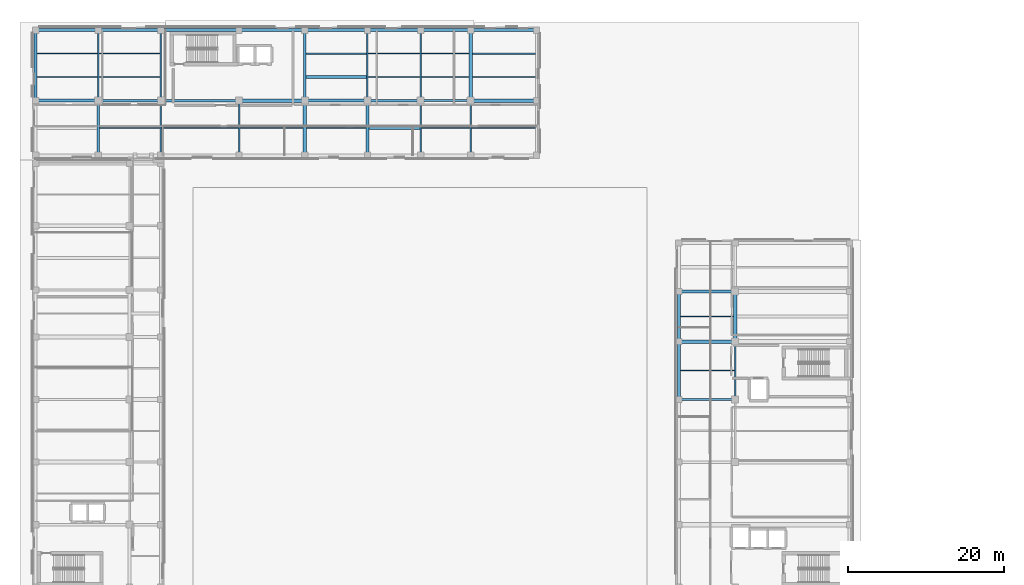
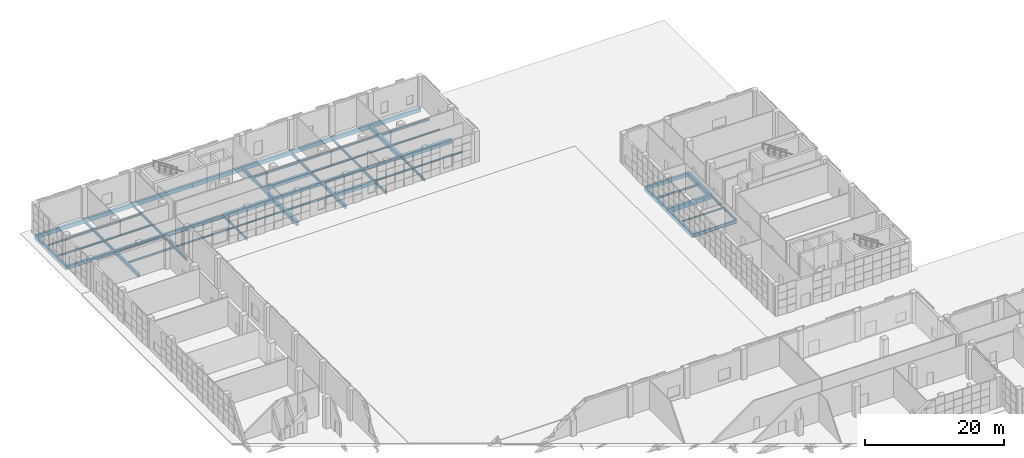
# One storey, part 5 of 40: 58 beams.
"""IFC4 building model written with IfcOpenShell, lengths in metres."""

from ifc_helpers import new_model, si_unit, direction, frame, origin, origin_2d, place, context, subcontext, project, spatial, rectangle, i_section, extrude, material, material_profile, profile_set, type_object, element, save


model = new_model("IFC4")

# Units and contexts
model_context = context("Model", 3, precision=1e-05, world=origin(), true_north=direction((0.0, 1.0)))
body_context = subcontext(model_context, "Body", "Model", "MODEL_VIEW")
ifc_project = project(units=[si_unit("LENGTHUNIT", "METRE"), si_unit("AREAUNIT", "SQUARE_METRE"), si_unit("VOLUMEUNIT", "CUBIC_METRE"), si_unit("PLANEANGLEUNIT", "RADIAN"), si_unit("MASSUNIT", "GRAM", prefix="KILO")], contexts=[model_context])

# Site, building, storey
site_placement = place(None, origin())
site = spatial("IfcSite", under=ifc_project, at=site_placement, CompositionType="ELEMENT")
building_placement = place(site_placement, origin())
building = spatial("IfcBuilding", under=site, at=building_placement, Name="Qalavern Law Courts", CompositionType="ELEMENT")
storey_placement = place(building_placement, origin())
storey = spatial("IfcBuildingStorey", under=building, at=storey_placement, Name="L00", CompositionType="ELEMENT", Elevation=0.0)

# Beams
ifc_material_1 = material(Name="Steel S355", Category="steel")
ifc_material_profile_1 = material_profile(ifc_material_1, i_section(OverallWidth=0.300048828125, OverallDepth=0.489990234375, WebThickness=0.011962890625, FlangeThickness=0.02294921875, FilletRadius=0.027099609375, at=origin_2d()), Name="HEA 500")
ifc_profile_set_1 = profile_set([ifc_material_profile_1], Name="Steel S355")
beam_type_1 = type_object("IfcBeamType", Name="STR-BM-HEA500", PredefinedType="BEAM", material=ifc_profile_set_1)
beam_1_placement = place(storey_placement, frame((10.39990234375, 103.60009765625, -0.5849609375), z_axis=(1.0, 0.0, 0.0), x_axis=(0.0, 1.0, 0.0)))
element("IfcBeam", 1, at=beam_1_placement, inside=storey, type_object=beam_type_1, Name="V5 X-beam 2-2 L00", PredefinedType="BEAM", context=body_context, shape_type="SweptSolid", body=[
    extrude(i_section(OverallWidth=0.300048828125, OverallDepth=0.489990234375, WebThickness=0.011962890625, FlangeThickness=0.02294921875, FilletRadius=0.027099609375, at=origin_2d()), origin(), (0.0, 0.0, 1.0), 8.0),
])
beam_2_placement = place(storey_placement, frame((44.800048828125, 103.60009765625, -0.5849609375), z_axis=(1.0, 0.0, 0.0), x_axis=(0.0, 1.0, 0.0)))
element("IfcBeam", 2, at=beam_2_placement, inside=storey, type_object=beam_type_1, Name="V5 X-beam 2-6 L00", PredefinedType="BEAM", context=body_context, shape_type="SweptSolid", body=[
    extrude(i_section(OverallWidth=0.300048828125, OverallDepth=0.489990234375, WebThickness=0.011962890625, FlangeThickness=0.02294921875, FilletRadius=0.027099609375, at=origin_2d()), origin(), (0.0, 0.0, 1.0), 6.800048828125),
])
ifc_material_profile_2 = material_profile(ifc_material_1, i_section(OverallWidth=0.300048828125, OverallDepth=0.699951171875, WebThickness=0.01708984375, FlangeThickness=0.031982421875, FilletRadius=0.027099609375, at=origin_2d()), Name="HEB 700")
ifc_profile_set_2 = profile_set([ifc_material_profile_2], Name="Steel S355")
beam_type_2 = type_object("IfcBeamType", Name="STR-BM-HEB700", PredefinedType="BEAM", material=ifc_profile_set_2)
beam_3_placement = place(storey_placement, frame((18.39990234375, 103.60009765625, -0.68994140625), z_axis=(1.0, 0.0, 0.0), x_axis=(0.0, 1.0, 0.0)))
element("IfcBeam", 3, at=beam_3_placement, inside=storey, type_object=beam_type_2, Name="V5 X-beam 2-3 L00", PredefinedType="BEAM", context=body_context, shape_type="SweptSolid", body=[
    extrude(i_section(OverallWidth=0.300048828125, OverallDepth=0.699951171875, WebThickness=0.01708984375, FlangeThickness=0.031982421875, FilletRadius=0.027099609375, at=origin_2d()), origin(), (0.0, 0.0, 1.0), 10.0),
])
ifc_material_profile_3 = material_profile(ifc_material_1, i_section(OverallWidth=0.179931640625, OverallDepth=0.39990234375, WebThickness=0.008544921875, FlangeThickness=0.013427734375, FilletRadius=0.02099609375, at=origin_2d()), Name="IPE 400")
ifc_profile_set_3 = profile_set([ifc_material_profile_3], Name="Steel S355")
beam_type_3 = type_object("IfcBeamType", Name="STR-BM-IPE400", PredefinedType="BEAM", material=ifc_profile_set_3)
beam_4_placement = place(storey_placement, frame((91.800048828125, 65.39990234375, -0.5400390625), z_axis=(0.0, 1.0, 0.0), x_axis=(-1.0, 0.0, 0.0)))
element("IfcBeam", 4, at=beam_4_placement, inside=storey, type_object=beam_type_3, Name="V4 Y-beam 2-3 L00", PredefinedType="BEAM", context=body_context, shape_type="SweptSolid", body=[
    extrude(i_section(OverallWidth=0.179931640625, OverallDepth=0.39990234375, WebThickness=0.008544921875, FlangeThickness=0.013427734375, FilletRadius=0.02099609375, at=origin_2d()), origin(), (0.0, 0.0, 1.0), 7.400146484375),
])
beam_5_placement = place(storey_placement, frame((18.39990234375, 103.60009765625, -0.5400390625), z_axis=(0.0, 1.0, 0.0), x_axis=(-1.0, 0.0, 0.0)))
element("IfcBeam", 5, at=beam_5_placement, inside=storey, type_object=beam_type_3, Name="V5 Y-beam 3-2 L00", PredefinedType="BEAM", context=body_context, shape_type="SweptSolid", body=[
    extrude(i_section(OverallWidth=0.179931640625, OverallDepth=0.39990234375, WebThickness=0.008544921875, FlangeThickness=0.013427734375, FilletRadius=0.02099609375, at=origin_2d()), origin(), (0.0, 0.0, 1.0), 9.0),
])
beam_6_placement = place(storey_placement, frame((28.39990234375, 96.60009765625, -0.5400390625), z_axis=(0.0, 1.0, 0.0), x_axis=(-1.0, 0.0, 0.0)))
element("IfcBeam", 6, at=beam_6_placement, inside=storey, type_object=beam_type_3, Name="V5 Y-beam 4-1 L00", PredefinedType="BEAM", context=body_context, shape_type="SweptSolid", body=[
    extrude(i_section(OverallWidth=0.179931640625, OverallDepth=0.39990234375, WebThickness=0.008544921875, FlangeThickness=0.013427734375, FilletRadius=0.02099609375, at=origin_2d()), origin(), (0.0, 0.0, 1.0), 7.0),
])
beam_7_placement = place(storey_placement, frame((51.60009765625, 103.60009765625, -0.5400390625), z_axis=(0.0, 1.0, 0.0), x_axis=(-1.0, 0.0, 0.0)))
element("IfcBeam", 7, at=beam_7_placement, inside=storey, type_object=beam_type_3, Name="V5 Y-beam 7-2 L00", PredefinedType="BEAM", context=body_context, shape_type="SweptSolid", body=[
    extrude(i_section(OverallWidth=0.179931640625, OverallDepth=0.39990234375, WebThickness=0.008544921875, FlangeThickness=0.013427734375, FilletRadius=0.02099609375, at=origin_2d()), origin(), (0.0, 0.0, 1.0), 9.0),
])
beam_8_placement = place(storey_placement, frame((58.0, 96.60009765625, -0.5400390625), z_axis=(0.0, 1.0, 0.0), x_axis=(-1.0, 0.0, 0.0)))
element("IfcBeam", 8, at=beam_8_placement, inside=storey, type_object=beam_type_3, Name="V5 Y-beam 8-1 L00", PredefinedType="BEAM", context=body_context, shape_type="SweptSolid", body=[
    extrude(i_section(OverallWidth=0.179931640625, OverallDepth=0.39990234375, WebThickness=0.008544921875, FlangeThickness=0.013427734375, FilletRadius=0.02099609375, at=origin_2d()), origin(), (0.0, 0.0, 1.0), 7.0),
])
ifc_material_profile_4 = material_profile(ifc_material_1, i_section(OverallWidth=0.199951171875, OverallDepth=0.5, WebThickness=0.01025390625, FlangeThickness=0.01611328125, FilletRadius=0.02099609375, at=origin_2d()), Name="IPE 500")
ifc_profile_set_4 = profile_set([ifc_material_profile_4], Name="Steel S355")
beam_type_4 = type_object("IfcBeamType", Name="STR-BM-IPE500", PredefinedType="BEAM", material=ifc_profile_set_4)
beam_9_placement = place(storey_placement, frame((10.39990234375, 103.60009765625, -0.590087890625), z_axis=(0.0, 1.0, 0.0), x_axis=(-1.0, 0.0, 0.0)))
element("IfcBeam", 9, at=beam_9_placement, inside=storey, type_object=beam_type_4, Name="V5 Y-beam 2-2 L00", PredefinedType="BEAM", context=body_context, shape_type="SweptSolid", body=[
    extrude(i_section(OverallWidth=0.199951171875, OverallDepth=0.5, WebThickness=0.01025390625, FlangeThickness=0.01611328125, FilletRadius=0.02099609375, at=origin_2d()), origin(), (0.0, 0.0, 1.0), 9.0),
])
beam_10_placement = place(storey_placement, frame((18.39990234375, 96.60009765625, -0.590087890625), z_axis=(0.0, 1.0, 0.0), x_axis=(-1.0, 0.0, 0.0)))
element("IfcBeam", 10, at=beam_10_placement, inside=storey, type_object=beam_type_4, Name="V5 Y-beam 3-1 L00", PredefinedType="BEAM", context=body_context, shape_type="SweptSolid", body=[
    extrude(i_section(OverallWidth=0.199951171875, OverallDepth=0.5, WebThickness=0.01025390625, FlangeThickness=0.01611328125, FilletRadius=0.02099609375, at=origin_2d()), origin(), (0.0, 0.0, 1.0), 7.0),
])
beam_11_placement = place(storey_placement, frame((44.800048828125, 103.60009765625, -0.590087890625), z_axis=(0.0, 1.0, 0.0), x_axis=(-1.0, 0.0, 0.0)))
element("IfcBeam", 11, at=beam_11_placement, inside=storey, type_object=beam_type_4, Name="V5 Y-beam 6-2 L00", PredefinedType="BEAM", context=body_context, shape_type="SweptSolid", body=[
    extrude(i_section(OverallWidth=0.199951171875, OverallDepth=0.5, WebThickness=0.01025390625, FlangeThickness=0.01611328125, FilletRadius=0.02099609375, at=origin_2d()), origin(), (0.0, 0.0, 1.0), 9.0),
])
beam_12_placement = place(storey_placement, frame((51.60009765625, 96.60009765625, -0.590087890625), z_axis=(0.0, 1.0, 0.0), x_axis=(-1.0, 0.0, 0.0)))
element("IfcBeam", 12, at=beam_12_placement, inside=storey, type_object=beam_type_4, Name="V5 Y-beam 7-1 L00", PredefinedType="BEAM", context=body_context, shape_type="SweptSolid", body=[
    extrude(i_section(OverallWidth=0.199951171875, OverallDepth=0.5, WebThickness=0.01025390625, FlangeThickness=0.01611328125, FilletRadius=0.02099609375, at=origin_2d()), origin(), (0.0, 0.0, 1.0), 7.0),
])
ifc_material_profile_5 = material_profile(ifc_material_1, i_section(OverallWidth=0.219970703125, OverallDepth=0.60009765625, WebThickness=0.011962890625, FlangeThickness=0.01904296875, FilletRadius=0.02392578125, at=origin_2d()), Name="IPE 600")
ifc_profile_set_5 = profile_set([ifc_material_profile_5], Name="Steel S355")
beam_type_5 = type_object("IfcBeamType", Name="STR-BM-IPE600", PredefinedType="BEAM", material=ifc_profile_set_5)
beam_13_placement = place(storey_placement, frame((84.60009765625, 65.39990234375, -0.639892578125), z_axis=(1.0, 0.0, 0.0), x_axis=(0.0, 1.0, 0.0)))
element("IfcBeam", 13, at=beam_13_placement, inside=storey, type_object=beam_type_5, Name="V4 X-beam 4-1 L00", PredefinedType="BEAM", context=body_context, shape_type="SweptSolid", body=[
    extrude(i_section(OverallWidth=0.219970703125, OverallDepth=0.60009765625, WebThickness=0.011962890625, FlangeThickness=0.01904296875, FilletRadius=0.02392578125, at=origin_2d()), origin(), (0.0, 0.0, 1.0), 7.199951171875),
])
beam_14_placement = place(storey_placement, frame((51.60009765625, 103.60009765625, -0.639892578125), z_axis=(1.0, 0.0, 0.0), x_axis=(0.0, 1.0, 0.0)))
element("IfcBeam", 14, at=beam_14_placement, inside=storey, type_object=beam_type_5, Name="V5 X-beam 2-7 L00", PredefinedType="BEAM", context=body_context, shape_type="SweptSolid", body=[
    extrude(i_section(OverallWidth=0.219970703125, OverallDepth=0.60009765625, WebThickness=0.011962890625, FlangeThickness=0.01904296875, FilletRadius=0.02392578125, at=origin_2d()), origin(), (0.0, 0.0, 1.0), 6.39990234375),
])
ifc_material_2 = material(Name="Concrete C35/45", Category="concrete")
ifc_material_profile_6 = material_profile(ifc_material_2, rectangle(XDim=0.35009765625, YDim=0.550048828125, at=origin_2d()), Name="RC 350x550")
ifc_profile_set_6 = profile_set([ifc_material_profile_6], Name="Concrete C35/45")
beam_type_6 = type_object("IfcBeamType", Name="STR-BM-RC350x550", PredefinedType="BEAM", material=ifc_profile_set_6)
beam_15_placement = place(storey_placement, frame((10.39990234375, 96.60009765625, -0.614990234375), z_axis=(0.0, 1.0, 0.0), x_axis=(-1.0, 0.0, 0.0)))
element("IfcBeam", 15, at=beam_15_placement, inside=storey, type_object=beam_type_6, Name="V5 Y-beam 2-1 L00", PredefinedType="BEAM", context=body_context, shape_type="SweptSolid", body=[
    extrude(rectangle(XDim=0.35009765625, YDim=0.550048828125, at=origin_2d()), origin(), (0.0, 0.0, 1.0), 7.0),
])
beam_16_placement = place(storey_placement, frame((36.800048828125, 103.60009765625, -0.614990234375), z_axis=(0.0, 1.0, 0.0), x_axis=(-1.0, 0.0, 0.0)))
element("IfcBeam", 16, at=beam_16_placement, inside=storey, type_object=beam_type_6, Name="V5 Y-beam 5-2 L00", PredefinedType="BEAM", context=body_context, shape_type="SweptSolid", body=[
    extrude(rectangle(XDim=0.35009765625, YDim=0.550048828125, at=origin_2d()), origin(), (0.0, 0.0, 1.0), 9.0),
])
beam_17_placement = place(storey_placement, frame((44.800048828125, 96.60009765625, -0.614990234375), z_axis=(0.0, 1.0, 0.0), x_axis=(-1.0, 0.0, 0.0)))
element("IfcBeam", 17, at=beam_17_placement, inside=storey, type_object=beam_type_6, Name="V5 Y-beam 6-1 L00", PredefinedType="BEAM", context=body_context, shape_type="SweptSolid", body=[
    extrude(rectangle(XDim=0.35009765625, YDim=0.550048828125, at=origin_2d()), origin(), (0.0, 0.0, 1.0), 7.0),
])
ifc_material_profile_7 = material_profile(ifc_material_2, rectangle(XDim=0.35009765625, YDim=0.60009765625, at=origin_2d()), Name="RC 350x600")
ifc_profile_set_7 = profile_set([ifc_material_profile_7], Name="Concrete C35/45")
beam_type_7 = type_object("IfcBeamType", Name="STR-BM-RC350x600", PredefinedType="BEAM", material=ifc_profile_set_7)
beam_18_placement = place(storey_placement, frame((84.60009765625, 79.199951171875, -0.639892578125), z_axis=(1.0, 0.0, 0.0), x_axis=(0.0, 1.0, 0.0)))
element("IfcBeam", 18, at=beam_18_placement, inside=storey, type_object=beam_type_7, Name="V4 X-beam 6-1 L00", PredefinedType="BEAM", context=body_context, shape_type="SweptSolid", body=[
    extrude(rectangle(XDim=0.35009765625, YDim=0.60009765625, at=origin_2d()), origin(), (0.0, 0.0, 1.0), 7.199951171875),
])
for number, where, z_axis, x_axis, name in (
    (19, (2.39990234375, 103.60009765625, -0.639892578125), (1.0, 0.0, 0.0), (0.0, 1.0, 0.0), "V5 X-beam 2-1 L00"),
    (20, (36.800048828125, 103.60009765625, -0.639892578125), (1.0, 0.0, 0.0), (0.0, 1.0, 0.0), "V5 X-beam 2-5 L00"),
):
    element("IfcBeam", number, at=place(storey_placement, frame(where, z_axis=z_axis, x_axis=x_axis)), inside=storey, type_object=beam_type_7, Name=name, PredefinedType="BEAM", context=body_context, shape_type="SweptSolid", body=[
        extrude(rectangle(XDim=0.35009765625, YDim=0.60009765625, at=origin_2d()), origin(), (0.0, 0.0, 1.0), 8.0),
    ])
ifc_material_3 = material(Name="Concrete C40/50", Category="concrete")
ifc_material_profile_8 = material_profile(ifc_material_3, rectangle(XDim=0.449951171875, YDim=0.75, at=origin_2d()), Name="RC 450x750")
ifc_profile_set_8 = profile_set([ifc_material_profile_8], Name="Concrete C40/50")
beam_type_8 = type_object("IfcBeamType", Name="STR-BM-RC450x750", PredefinedType="BEAM", material=ifc_profile_set_8)
beam_19_placement = place(storey_placement, frame((84.60009765625, 72.800048828125, -0.715087890625), z_axis=(1.0, 0.0, 0.0), x_axis=(0.0, 1.0, 0.0)))
element("IfcBeam", 21, at=beam_19_placement, inside=storey, type_object=beam_type_8, Name="V4 X-beam 5-1 L00", PredefinedType="BEAM", context=body_context, shape_type="SweptSolid", body=[
    extrude(rectangle(XDim=0.449951171875, YDim=0.75, at=origin_2d()), origin(), (0.0, 0.0, 1.0), 7.199951171875),
])
beam_20_placement = place(storey_placement, frame((91.800048828125, 72.800048828125, -0.715087890625), z_axis=(0.0, 1.0, 0.0), x_axis=(-1.0, 0.0, 0.0)))
element("IfcBeam", 22, at=beam_20_placement, inside=storey, type_object=beam_type_8, Name="V4 Y-beam 2-4 L00", PredefinedType="BEAM", context=body_context, shape_type="SweptSolid", body=[
    extrude(rectangle(XDim=0.449951171875, YDim=0.75, at=origin_2d()), origin(), (0.0, 0.0, 1.0), 6.39990234375),
])
beam_21_placement = place(storey_placement, frame((28.39990234375, 103.60009765625, -0.715087890625), z_axis=(1.0, 0.0, 0.0), x_axis=(0.0, 1.0, 0.0)))
element("IfcBeam", 23, at=beam_21_placement, inside=storey, type_object=beam_type_8, Name="V5 X-beam 2-4 L00", PredefinedType="BEAM", context=body_context, shape_type="SweptSolid", body=[
    extrude(rectangle(XDim=0.449951171875, YDim=0.75, at=origin_2d()), origin(), (0.0, 0.0, 1.0), 8.400146484375),
])
beam_22_placement = place(storey_placement, frame((58.0, 103.60009765625, -0.715087890625), z_axis=(1.0, 0.0, 0.0), x_axis=(0.0, 1.0, 0.0)))
element("IfcBeam", 24, at=beam_22_placement, inside=storey, type_object=beam_type_8, Name="V5 X-beam 2-8 L00", PredefinedType="BEAM", context=body_context, shape_type="SweptSolid", body=[
    extrude(rectangle(XDim=0.449951171875, YDim=0.75, at=origin_2d()), origin(), (0.0, 0.0, 1.0), 8.39990234375),
])
beam_23_placement = place(storey_placement, frame((36.800048828125, 96.60009765625, -0.715087890625), z_axis=(0.0, 1.0, 0.0), x_axis=(-1.0, 0.0, 0.0)))
element("IfcBeam", 25, at=beam_23_placement, inside=storey, type_object=beam_type_8, Name="V5 Y-beam 5-1 L00", PredefinedType="BEAM", context=body_context, shape_type="SweptSolid", body=[
    extrude(rectangle(XDim=0.449951171875, YDim=0.75, at=origin_2d()), origin(), (0.0, 0.0, 1.0), 7.0),
])
beam_24_placement = place(storey_placement, frame((58.0, 103.60009765625, -0.715087890625), z_axis=(0.0, 1.0, 0.0), x_axis=(-1.0, 0.0, 0.0)))
element("IfcBeam", 26, at=beam_24_placement, inside=storey, type_object=beam_type_8, Name="V5 Y-beam 8-2 L00", PredefinedType="BEAM", context=body_context, shape_type="SweptSolid", body=[
    extrude(rectangle(XDim=0.449951171875, YDim=0.75, at=origin_2d()), origin(), (0.0, 0.0, 1.0), 9.0),
])
ifc_material_profile_9 = material_profile(ifc_material_1, i_section(OverallWidth=0.135009765625, OverallDepth=0.27001953125, WebThickness=0.006591796875, FlangeThickness=0.01025390625, FilletRadius=0.014892578125, at=origin_2d()), Name="IPE 270")
ifc_profile_set_9 = profile_set([ifc_material_profile_9], Name="Steel S355")
beam_type_9 = type_object("IfcBeamType", Name="STR-JST-IPE270", PredefinedType="JOIST", material=ifc_profile_set_9)
beam_25_placement = place(storey_placement, frame((84.798095703125, 69.10009765625, -0.47509765625), z_axis=(1.0, 0.0, 0.0), x_axis=(0.0, 1.0, 0.0)))
element("IfcBeam", 27, at=beam_25_placement, inside=storey, type_object=beam_type_9, Name="V4 secondary joist 1.4.1 L00", PredefinedType="JOIST", context=body_context, shape_type="SweptSolid", body=[
    extrude(i_section(OverallWidth=0.135009765625, OverallDepth=0.27001953125, WebThickness=0.006591796875, FlangeThickness=0.01025390625, FilletRadius=0.014892578125, at=origin_2d()), origin(), (0.0, 0.0, 1.0), 6.913818359375),
])
beam_26_placement = place(storey_placement, frame((10.498046875, 109.60009765625, -0.47509765625), z_axis=(1.0, 0.0, 0.0), x_axis=(0.0, 1.0, 0.0)))
element("IfcBeam", 28, at=beam_26_placement, inside=storey, type_object=beam_type_9, Name="V5 secondary joist 2.2.2 L00", PredefinedType="JOIST", context=body_context, shape_type="SweptSolid", body=[
    extrude(i_section(OverallWidth=0.135009765625, OverallDepth=0.27001953125, WebThickness=0.006591796875, FlangeThickness=0.01025390625, FilletRadius=0.014892578125, at=origin_2d()), origin(), (0.0, 0.0, 1.0), 7.81396484375),
])
beam_27_placement = place(storey_placement, frame((28.488037109375, 100.10009765625, -0.47509765625), z_axis=(1.0, 0.0, 0.0), x_axis=(0.0, 1.0, 0.0)))
element("IfcBeam", 29, at=beam_27_placement, inside=storey, type_object=beam_type_9, Name="V5 secondary joist 4.1.1 L00", PredefinedType="JOIST", context=body_context, shape_type="SweptSolid", body=[
    extrude(i_section(OverallWidth=0.135009765625, OverallDepth=0.27001953125, WebThickness=0.006591796875, FlangeThickness=0.01025390625, FilletRadius=0.014892578125, at=origin_2d()), origin(), (0.0, 0.0, 1.0), 8.0888671875),
])
beam_28_placement = place(storey_placement, frame((51.68798828125, 109.60009765625, -0.47509765625), z_axis=(1.0, 0.0, 0.0), x_axis=(0.0, 1.0, 0.0)))
element("IfcBeam", 30, at=beam_28_placement, inside=storey, type_object=beam_type_9, Name="V5 secondary joist 7.2.2 L00", PredefinedType="JOIST", context=body_context, shape_type="SweptSolid", body=[
    extrude(i_section(OverallWidth=0.135009765625, OverallDepth=0.27001953125, WebThickness=0.006591796875, FlangeThickness=0.01025390625, FilletRadius=0.014892578125, at=origin_2d()), origin(), (0.0, 0.0, 1.0), 6.089111328125),
])
beam_29_placement = place(storey_placement, frame((58.222900390625, 106.60009765625, -0.47509765625), z_axis=(1.0, 0.0, 0.0), x_axis=(0.0, 1.0, 0.0)))
element("IfcBeam", 31, at=beam_29_placement, inside=storey, type_object=beam_type_9, Name="V5 secondary joist 8.2.1 L00", PredefinedType="JOIST", context=body_context, shape_type="SweptSolid", body=[
    extrude(i_section(OverallWidth=0.135009765625, OverallDepth=0.27001953125, WebThickness=0.006591796875, FlangeThickness=0.01025390625, FilletRadius=0.014892578125, at=origin_2d()), origin(), (0.0, 0.0, 1.0), 8.029052734375),
])
ifc_material_profile_10 = material_profile(ifc_material_1, i_section(OverallWidth=0.14990234375, OverallDepth=0.300048828125, WebThickness=0.007080078125, FlangeThickness=0.0107421875, FilletRadius=0.014892578125, at=origin_2d()), Name="IPE 300")
ifc_profile_set_10 = profile_set([ifc_material_profile_10], Name="Steel S355")
beam_type_10 = type_object("IfcBeamType", Name="STR-JST-IPE300", PredefinedType="JOIST", material=ifc_profile_set_10)
beam_30_placement = place(storey_placement, frame((2.597900390625, 109.60009765625, -0.489990234375), z_axis=(1.0, 0.0, 0.0), x_axis=(0.0, 1.0, 0.0)))
element("IfcBeam", 32, at=beam_30_placement, inside=storey, type_object=beam_type_10, Name="V5 secondary joist 1.2.2 L00", PredefinedType="JOIST", context=body_context, shape_type="SweptSolid", body=[
    extrude(i_section(OverallWidth=0.14990234375, OverallDepth=0.300048828125, WebThickness=0.007080078125, FlangeThickness=0.0107421875, FilletRadius=0.014892578125, at=origin_2d()), origin(), (0.0, 0.0, 1.0), 7.7041015625),
])
beam_31_placement = place(storey_placement, frame((10.498046875, 106.60009765625, -0.489990234375), z_axis=(1.0, 0.0, 0.0), x_axis=(0.0, 1.0, 0.0)))
element("IfcBeam", 33, at=beam_31_placement, inside=storey, type_object=beam_type_10, Name="V5 secondary joist 2.2.1 L00", PredefinedType="JOIST", context=body_context, shape_type="SweptSolid", body=[
    extrude(i_section(OverallWidth=0.14990234375, OverallDepth=0.300048828125, WebThickness=0.007080078125, FlangeThickness=0.0107421875, FilletRadius=0.014892578125, at=origin_2d()), origin(), (0.0, 0.0, 1.0), 7.81396484375),
])
beam_32_placement = place(storey_placement, frame((18.498046875, 100.10009765625, -0.489990234375), z_axis=(1.0, 0.0, 0.0), x_axis=(0.0, 1.0, 0.0)))
element("IfcBeam", 34, at=beam_32_placement, inside=storey, type_object=beam_type_10, Name="V5 secondary joist 3.1.1 L00", PredefinedType="JOIST", context=body_context, shape_type="SweptSolid", body=[
    extrude(i_section(OverallWidth=0.14990234375, OverallDepth=0.300048828125, WebThickness=0.007080078125, FlangeThickness=0.0107421875, FilletRadius=0.014892578125, at=origin_2d()), origin(), (0.0, 0.0, 1.0), 9.81396484375),
])
beam_33_placement = place(storey_placement, frame((44.89794921875, 109.60009765625, -0.489990234375), z_axis=(1.0, 0.0, 0.0), x_axis=(0.0, 1.0, 0.0)))
element("IfcBeam", 35, at=beam_33_placement, inside=storey, type_object=beam_type_10, Name="V5 secondary joist 6.2.2 L00", PredefinedType="JOIST", context=body_context, shape_type="SweptSolid", body=[
    extrude(i_section(OverallWidth=0.14990234375, OverallDepth=0.300048828125, WebThickness=0.007080078125, FlangeThickness=0.0107421875, FilletRadius=0.014892578125, at=origin_2d()), origin(), (0.0, 0.0, 1.0), 6.614013671875),
])
beam_34_placement = place(storey_placement, frame((51.68798828125, 106.60009765625, -0.489990234375), z_axis=(1.0, 0.0, 0.0), x_axis=(0.0, 1.0, 0.0)))
element("IfcBeam", 36, at=beam_34_placement, inside=storey, type_object=beam_type_10, Name="V5 secondary joist 7.2.1 L00", PredefinedType="JOIST", context=body_context, shape_type="SweptSolid", body=[
    extrude(i_section(OverallWidth=0.14990234375, OverallDepth=0.300048828125, WebThickness=0.007080078125, FlangeThickness=0.0107421875, FilletRadius=0.014892578125, at=origin_2d()), origin(), (0.0, 0.0, 1.0), 6.089111328125),
])
beam_35_placement = place(storey_placement, frame((58.087890625, 100.10009765625, -0.489990234375), z_axis=(1.0, 0.0, 0.0), x_axis=(0.0, 1.0, 0.0)))
element("IfcBeam", 37, at=beam_35_placement, inside=storey, type_object=beam_type_10, Name="V5 secondary joist 8.1.1 L00", PredefinedType="JOIST", context=body_context, shape_type="SweptSolid", body=[
    extrude(i_section(OverallWidth=0.14990234375, OverallDepth=0.300048828125, WebThickness=0.007080078125, FlangeThickness=0.0107421875, FilletRadius=0.014892578125, at=origin_2d()), origin(), (0.0, 0.0, 1.0), 8.1640625),
])
ifc_material_profile_11 = material_profile(ifc_material_1, i_section(OverallWidth=0.159912109375, OverallDepth=0.330078125, WebThickness=0.007568359375, FlangeThickness=0.011474609375, FilletRadius=0.01806640625, at=origin_2d()), Name="IPE 330")
ifc_profile_set_11 = profile_set([ifc_material_profile_11], Name="Steel S355")
beam_type_11 = type_object("IfcBeamType", Name="STR-JST-IPE330", PredefinedType="JOIST", material=ifc_profile_set_11)
beam_36_placement = place(storey_placement, frame((2.597900390625, 106.60009765625, -0.5048828125), z_axis=(1.0, 0.0, 0.0), x_axis=(0.0, 1.0, 0.0)))
element("IfcBeam", 38, at=beam_36_placement, inside=storey, type_object=beam_type_11, Name="V5 secondary joist 1.2.1 L00", PredefinedType="JOIST", context=body_context, shape_type="SweptSolid", body=[
    extrude(i_section(OverallWidth=0.159912109375, OverallDepth=0.330078125, WebThickness=0.007568359375, FlangeThickness=0.011474609375, FilletRadius=0.01806640625, at=origin_2d()), origin(), (0.0, 0.0, 1.0), 7.7041015625),
])
for number, where, z_axis, x_axis, name in (
    (39, (10.572998046875, 100.10009765625, -0.5048828125), (1.0, 0.0, 0.0), (0.0, 1.0, 0.0), "V5 secondary joist 2.1.1 L00"),
    (40, (36.972900390625, 109.60009765625, -0.5048828125), (1.0, 0.0, 0.0), (0.0, 1.0, 0.0), "V5 secondary joist 5.2.2 L00"),
):
    element("IfcBeam", number, at=place(storey_placement, frame(where, z_axis=z_axis, x_axis=x_axis)), inside=storey, type_object=beam_type_11, Name=name, PredefinedType="JOIST", context=body_context, shape_type="SweptSolid", body=[
        extrude(i_section(OverallWidth=0.159912109375, OverallDepth=0.330078125, WebThickness=0.007568359375, FlangeThickness=0.011474609375, FilletRadius=0.01806640625, at=origin_2d()), origin(), (0.0, 0.0, 1.0), 7.72900390625),
    ])
beam_37_placement = place(storey_placement, frame((44.89794921875, 106.60009765625, -0.5048828125), z_axis=(1.0, 0.0, 0.0), x_axis=(0.0, 1.0, 0.0)))
element("IfcBeam", 41, at=beam_37_placement, inside=storey, type_object=beam_type_11, Name="V5 secondary joist 6.2.1 L00", PredefinedType="JOIST", context=body_context, shape_type="SweptSolid", body=[
    extrude(i_section(OverallWidth=0.159912109375, OverallDepth=0.330078125, WebThickness=0.007568359375, FlangeThickness=0.011474609375, FilletRadius=0.01806640625, at=origin_2d()), origin(), (0.0, 0.0, 1.0), 6.614013671875),
])
beam_38_placement = place(storey_placement, frame((51.697998046875, 100.10009765625, -0.5048828125), z_axis=(1.0, 0.0, 0.0), x_axis=(0.0, 1.0, 0.0)))
element("IfcBeam", 42, at=beam_38_placement, inside=storey, type_object=beam_type_11, Name="V5 secondary joist 7.1.1 L00", PredefinedType="JOIST", context=body_context, shape_type="SweptSolid", body=[
    extrude(i_section(OverallWidth=0.159912109375, OverallDepth=0.330078125, WebThickness=0.007568359375, FlangeThickness=0.011474609375, FilletRadius=0.01806640625, at=origin_2d()), origin(), (0.0, 0.0, 1.0), 6.214111328125),
])
ifc_material_profile_12 = material_profile(ifc_material_1, i_section(OverallWidth=0.169921875, OverallDepth=0.360107421875, WebThickness=0.008056640625, FlangeThickness=0.0126953125, FilletRadius=0.01806640625, at=origin_2d()), Name="IPE 360")
ifc_profile_set_12 = profile_set([ifc_material_profile_12], Name="Steel S355")
beam_type_12 = type_object("IfcBeamType", Name="STR-JST-IPE360", PredefinedType="JOIST", material=ifc_profile_set_12)
beam_39_placement = place(storey_placement, frame((84.798095703125, 76.0, -0.52001953125), z_axis=(1.0, 0.0, 0.0), x_axis=(0.0, 1.0, 0.0)))
element("IfcBeam", 43, at=beam_39_placement, inside=storey, type_object=beam_type_12, Name="V4 secondary joist 1.5.1 L00", PredefinedType="JOIST", context=body_context, shape_type="SweptSolid", body=[
    extrude(i_section(OverallWidth=0.169921875, OverallDepth=0.360107421875, WebThickness=0.008056640625, FlangeThickness=0.0126953125, FilletRadius=0.01806640625, at=origin_2d()), origin(), (0.0, 0.0, 1.0), 6.77880859375),
])
beam_40_placement = place(storey_placement, frame((37.02294921875, 100.10009765625, -0.52001953125), z_axis=(1.0, 0.0, 0.0), x_axis=(0.0, 1.0, 0.0)))
element("IfcBeam", 44, at=beam_40_placement, inside=storey, type_object=beam_type_12, Name="V5 secondary joist 5.1.1 L00", PredefinedType="JOIST", context=body_context, shape_type="SweptSolid", body=[
    extrude(i_section(OverallWidth=0.169921875, OverallDepth=0.360107421875, WebThickness=0.008056640625, FlangeThickness=0.0126953125, FilletRadius=0.01806640625, at=origin_2d()), origin(), (0.0, 0.0, 1.0), 7.60400390625),
])
beam_41_placement = place(storey_placement, frame((58.222900390625, 109.60009765625, -0.52001953125), z_axis=(1.0, 0.0, 0.0), x_axis=(0.0, 1.0, 0.0)))
element("IfcBeam", 45, at=beam_41_placement, inside=storey, type_object=beam_type_12, Name="V5 secondary joist 8.2.2 L00", PredefinedType="JOIST", context=body_context, shape_type="SweptSolid", body=[
    extrude(i_section(OverallWidth=0.169921875, OverallDepth=0.360107421875, WebThickness=0.008056640625, FlangeThickness=0.0126953125, FilletRadius=0.01806640625, at=origin_2d()), origin(), (0.0, 0.0, 1.0), 8.029052734375),
])
ifc_material_profile_13 = material_profile(ifc_material_2, rectangle(XDim=0.39990234375, YDim=0.64990234375, at=origin_2d()), Name="RC 400x650")
ifc_profile_set_13 = profile_set([ifc_material_profile_13], Name="Concrete C35/45")
beam_type_13 = type_object("IfcBeamType", Name="STR-JST-RC400x650", PredefinedType="JOIST", material=ifc_profile_set_13)
beam_42_placement = place(storey_placement, frame((36.972900390625, 106.60009765625, -0.6650390625), z_axis=(1.0, 0.0, 0.0), x_axis=(0.0, 1.0, 0.0)))
element("IfcBeam", 46, at=beam_42_placement, inside=storey, type_object=beam_type_13, Name="V5 secondary joist 5.2.1 L00", PredefinedType="JOIST", context=body_context, shape_type="SweptSolid", body=[
    extrude(rectangle(XDim=0.39990234375, YDim=0.64990234375, at=origin_2d()), origin(), (0.0, 0.0, 1.0), 7.72900390625),
])
beam_43_placement = place(storey_placement, frame((44.972900390625, 100.10009765625, -0.6650390625), z_axis=(1.0, 0.0, 0.0), x_axis=(0.0, 1.0, 0.0)))
element("IfcBeam", 47, at=beam_43_placement, inside=storey, type_object=beam_type_13, Name="V5 secondary joist 6.1.1 L00", PredefinedType="JOIST", context=body_context, shape_type="SweptSolid", body=[
    extrude(rectangle(XDim=0.39990234375, YDim=0.64990234375, at=origin_2d()), origin(), (0.0, 0.0, 1.0), 6.529052734375),
])
ifc_material_profile_14 = material_profile(ifc_material_3, rectangle(XDim=0.39990234375, YDim=0.699951171875, at=origin_2d()), Name="RC 400x700")
ifc_profile_set_14 = profile_set([ifc_material_profile_14], Name="Concrete C40/50")
beam_type_14 = type_object("IfcBeamType", Name="STR-SP-RC400x700", PredefinedType="SPANDREL", material=ifc_profile_set_14)
beam_44_placement = place(storey_placement, frame((84.60009765625, 65.39990234375, -0.68994140625), z_axis=(0.0, 1.0, 0.0), x_axis=(-1.0, 0.0, 0.0)))
element("IfcBeam", 48, at=beam_44_placement, inside=storey, type_object=beam_type_14, Name="V4 Y-beam 1-4 L00", PredefinedType="SPANDREL", context=body_context, shape_type="SweptSolid", body=[
    extrude(rectangle(XDim=0.39990234375, YDim=0.699951171875, at=origin_2d()), origin(), (0.0, 0.0, 1.0), 7.400146484375),
])
beam_45_placement = place(storey_placement, frame((84.60009765625, 72.800048828125, -0.68994140625), z_axis=(0.0, 1.0, 0.0), x_axis=(-1.0, 0.0, 0.0)))
element("IfcBeam", 49, at=beam_45_placement, inside=storey, type_object=beam_type_14, Name="V4 Y-beam 1-5 L00", PredefinedType="SPANDREL", context=body_context, shape_type="SweptSolid", body=[
    extrude(rectangle(XDim=0.39990234375, YDim=0.699951171875, at=origin_2d()), origin(), (0.0, 0.0, 1.0), 6.39990234375),
])
for number, where, z_axis, x_axis, name in (
    (50, (2.39990234375, 112.60009765625, -0.68994140625), (1.0, 0.0, 0.0), (0.0, 1.0, 0.0), "V5 X-beam 3-1 L00"),
    (51, (10.39990234375, 112.60009765625, -0.68994140625), (1.0, 0.0, 0.0), (0.0, 1.0, 0.0), "V5 X-beam 3-2 L00"),
):
    element("IfcBeam", number, at=place(storey_placement, frame(where, z_axis=z_axis, x_axis=x_axis)), inside=storey, type_object=beam_type_14, Name=name, PredefinedType="SPANDREL", context=body_context, shape_type="SweptSolid", body=[
        extrude(rectangle(XDim=0.39990234375, YDim=0.699951171875, at=origin_2d()), origin(), (0.0, 0.0, 1.0), 8.0),
    ])
beam_46_placement = place(storey_placement, frame((18.39990234375, 112.60009765625, -0.68994140625), z_axis=(1.0, 0.0, 0.0), x_axis=(0.0, 1.0, 0.0)))
element("IfcBeam", 52, at=beam_46_placement, inside=storey, type_object=beam_type_14, Name="V5 X-beam 3-3 L00", PredefinedType="SPANDREL", context=body_context, shape_type="SweptSolid", body=[
    extrude(rectangle(XDim=0.39990234375, YDim=0.699951171875, at=origin_2d()), origin(), (0.0, 0.0, 1.0), 10.0),
])
beam_47_placement = place(storey_placement, frame((28.39990234375, 112.60009765625, -0.68994140625), z_axis=(1.0, 0.0, 0.0), x_axis=(0.0, 1.0, 0.0)))
element("IfcBeam", 53, at=beam_47_placement, inside=storey, type_object=beam_type_14, Name="V5 X-beam 3-4 L00", PredefinedType="SPANDREL", context=body_context, shape_type="SweptSolid", body=[
    extrude(rectangle(XDim=0.39990234375, YDim=0.699951171875, at=origin_2d()), origin(), (0.0, 0.0, 1.0), 8.400146484375),
])
beam_48_placement = place(storey_placement, frame((36.800048828125, 112.60009765625, -0.68994140625), z_axis=(1.0, 0.0, 0.0), x_axis=(0.0, 1.0, 0.0)))
element("IfcBeam", 54, at=beam_48_placement, inside=storey, type_object=beam_type_14, Name="V5 X-beam 3-5 L00", PredefinedType="SPANDREL", context=body_context, shape_type="SweptSolid", body=[
    extrude(rectangle(XDim=0.39990234375, YDim=0.699951171875, at=origin_2d()), origin(), (0.0, 0.0, 1.0), 8.0),
])
beam_49_placement = place(storey_placement, frame((44.800048828125, 112.60009765625, -0.68994140625), z_axis=(1.0, 0.0, 0.0), x_axis=(0.0, 1.0, 0.0)))
element("IfcBeam", 55, at=beam_49_placement, inside=storey, type_object=beam_type_14, Name="V5 X-beam 3-6 L00", PredefinedType="SPANDREL", context=body_context, shape_type="SweptSolid", body=[
    extrude(rectangle(XDim=0.39990234375, YDim=0.699951171875, at=origin_2d()), origin(), (0.0, 0.0, 1.0), 6.800048828125),
])
beam_50_placement = place(storey_placement, frame((51.60009765625, 112.60009765625, -0.68994140625), z_axis=(1.0, 0.0, 0.0), x_axis=(0.0, 1.0, 0.0)))
element("IfcBeam", 56, at=beam_50_placement, inside=storey, type_object=beam_type_14, Name="V5 X-beam 3-7 L00", PredefinedType="SPANDREL", context=body_context, shape_type="SweptSolid", body=[
    extrude(rectangle(XDim=0.39990234375, YDim=0.699951171875, at=origin_2d()), origin(), (0.0, 0.0, 1.0), 6.39990234375),
])
beam_51_placement = place(storey_placement, frame((58.0, 112.60009765625, -0.68994140625), z_axis=(1.0, 0.0, 0.0), x_axis=(0.0, 1.0, 0.0)))
element("IfcBeam", 57, at=beam_51_placement, inside=storey, type_object=beam_type_14, Name="V5 X-beam 3-8 L00", PredefinedType="SPANDREL", context=body_context, shape_type="SweptSolid", body=[
    extrude(rectangle(XDim=0.39990234375, YDim=0.699951171875, at=origin_2d()), origin(), (0.0, 0.0, 1.0), 8.39990234375),
])
beam_52_placement = place(storey_placement, frame((2.39990234375, 103.60009765625, -0.68994140625), z_axis=(0.0, 1.0, 0.0), x_axis=(-1.0, 0.0, 0.0)))
element("IfcBeam", 58, at=beam_52_placement, inside=storey, type_object=beam_type_14, Name="V5 Y-beam 1-2 L00", PredefinedType="SPANDREL", context=body_context, shape_type="SweptSolid", body=[
    extrude(rectangle(XDim=0.39990234375, YDim=0.699951171875, at=origin_2d()), origin(), (0.0, 0.0, 1.0), 9.0),
])

save(model, "model.ifc")
